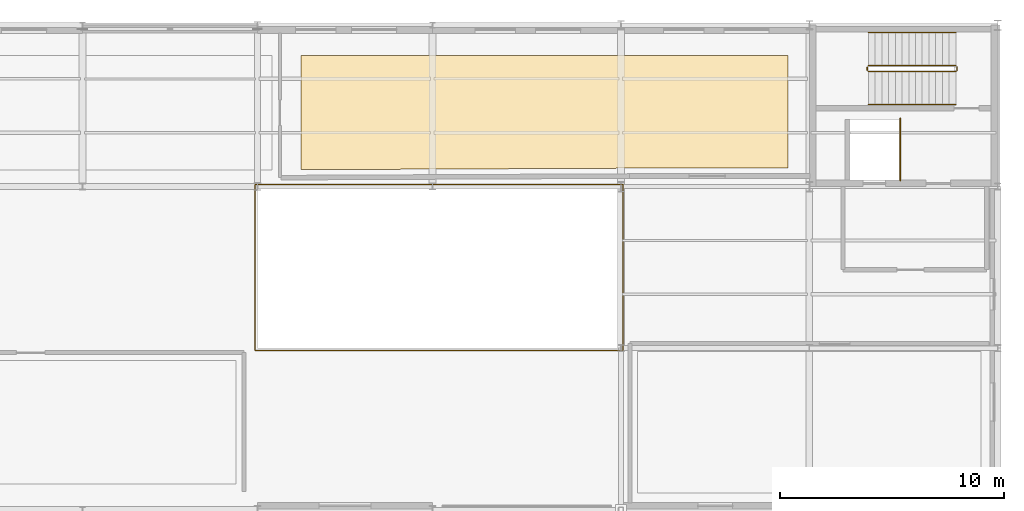
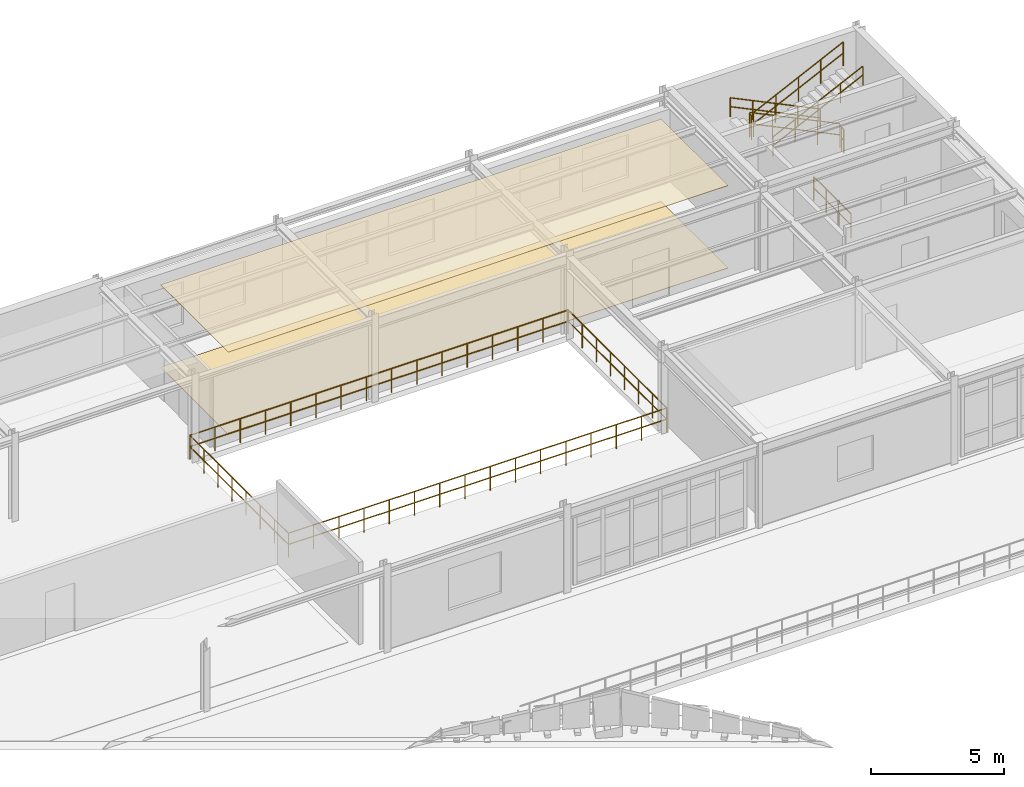
# One storey, part 58 of 58: 9 railings, 2 coverings.
"""IFC4 building model written with IfcOpenShell, lengths in metres."""

from ifc_helpers import new_model, si_unit, derived_unit, direction, frame, origin, origin_2d, place, context, subcontext, project, spatial, polyline, circle, outline, extrude, material, layer, layer_set, type_object, element, save


model = new_model("IFC4")

# Units and contexts
model_context = context("Model", 3, precision=1e-05, world=origin(), true_north=direction((0.0, 1.0)))
body_context = subcontext(model_context, "Body", "Model", "MODEL_VIEW")
ifc_project = project(units=[si_unit("LENGTHUNIT", "METRE"), si_unit("AREAUNIT", "SQUARE_METRE"), si_unit("VOLUMEUNIT", "CUBIC_METRE"), si_unit("PLANEANGLEUNIT", "RADIAN"), si_unit("MASSUNIT", "GRAM", prefix="KILO"), derived_unit("THERMALTRANSMITTANCEUNIT", [(si_unit("POWERUNIT", "WATT"), 1), (si_unit("AREAUNIT", "SQUARE_METRE"), -1), (si_unit("THERMODYNAMICTEMPERATUREUNIT", "KELVIN"), -1)])], contexts=[model_context])

# Site, building, storey
site_placement = place(None, origin())
site = spatial("IfcSite", under=ifc_project, at=site_placement, CompositionType="ELEMENT")
building_placement = place(site_placement, origin())
building = spatial("IfcBuilding", under=site, at=building_placement, Name="Yasenodar Specialist Clinic", CompositionType="ELEMENT")
storey_placement = place(building_placement, frame((0.0, 0.0, 17.25)))
storey = spatial("IfcBuildingStorey", under=building, at=storey_placement, Name="L04", CompositionType="ELEMENT", Elevation=17.25)

# Coverings
ifc_material_1 = material(Name="Hygienic Acoustic Mineral-Fibre Ceiling")
ifc_layer_1 = layer(ifc_material_1, 0.02490234375)
ifc_layer_set_1 = layer_set([ifc_layer_1], Name="Hygienic Acoustic Mineral-Fibre Ceiling")
covering_type_1 = type_object("IfcCoveringType", Name="COV-CEIL-AC", PredefinedType="CEILING", material=ifc_layer_set_1)
covering_1_placement = place(storey_placement, frame((0.0, 0.0, 3.77490234375)))
element("IfcCovering", 1, at=covering_1_placement, inside=storey, type_object=covering_type_1, Name="L04 Cleanroom AHU Plant Room Acoustic Ceiling", PredefinedType="CEILING", context=body_context, shape_type="SweptSolid", body=[
    extrude(outline(polyline([(112.449951171875, 110.25), (112.449951171875, 105.219970703125), (105.3798828125, 105.219970703125), (105.3779296875, 105.219970703125), (90.75, 105.152099609375), (90.75, 110.25), (112.449951171875, 110.25)])), origin(), (0.0, 0.0, 1.0), 0.025146484375),
])
ifc_material_2 = material(Name="Seamless Epoxy Terrazzo Clinical Flooring")
ifc_layer_2 = layer(ifc_material_2, 0.02001953125)
ifc_layer_set_2 = layer_set([ifc_layer_2], Name="Seamless Epoxy Terrazzo Clinical Flooring")
covering_type_2 = type_object("IfcCoveringType", Name="COV-FLR-TERR", PredefinedType="FLOORING", material=ifc_layer_set_2)
covering_2_placement = place(storey_placement, origin())
element("IfcCovering", 2, at=covering_2_placement, inside=storey, type_object=covering_type_2, Name="L04 Cleanroom AHU Plant Room Terrazzo Flooring", PredefinedType="FLOORING", context=body_context, shape_type="SweptSolid", body=[
    extrude(outline(polyline([(112.449951171875, 110.25), (112.449951171875, 105.219970703125), (105.3798828125, 105.219970703125), (105.3779296875, 105.219970703125), (90.75, 105.152099609375), (90.75, 110.25), (112.449951171875, 110.25)])), origin(), (0.0, 0.0, 1.0), 0.02001953125),
])

# Railings
ifc_material_3 = material(Name="Steel S355 Painted Guardrail", Category="steel")
railing_type_1 = type_object("IfcRailingType", Name="RL-GRD-1120", PredefinedType="GUARDRAIL", material=ifc_material_3)
railing_1_placement = place(storey_placement, frame((88.699951171875, 97.10009765625, 0.0)))
element("IfcRailing", 3, at=railing_1_placement, inside=storey, type_object=railing_type_1, Name="L04 V5 Lightwell South-East Guardrail", PredefinedType="GUARDRAIL", context=body_context, shape_type="SweptSolid", body=[
    extrude(circle(Radius=0.02392578125, at=origin_2d()), frame((0.0, 0.0, 1.09619140625), z_axis=(1.0, 0.0, 0.0), x_axis=(0.0, 1.0, 0.0)), (0.0, 0.0, 1.0), 16.400146484375),
    extrude(circle(Radius=0.02392578125, at=origin_2d()), frame((0.0, 0.0, 0.58251953125), z_axis=(1.0, 0.0, 0.0), x_axis=(0.0, 1.0, 0.0)), (0.0, 0.0, 1.0), 16.400146484375),
    extrude(circle(Radius=0.02392578125, at=origin_2d()), frame((16.400146484375, 0.0, 1.09619140625), z_axis=(0.0, 1.0, 0.0), x_axis=(-1.0, 0.0, 0.0)), (0.0, 0.0, 1.0), 7.39990234375),
    extrude(circle(Radius=0.02392578125, at=origin_2d()), frame((16.400146484375, 0.0, 0.58251953125), z_axis=(0.0, 1.0, 0.0), x_axis=(-1.0, 0.0, 0.0)), (0.0, 0.0, 1.0), 7.39990234375),
    extrude(circle(Radius=0.02099609375, at=origin_2d()), origin(), (0.0, 0.0, 1.0), 1.072021484375),
    extrude(circle(Radius=0.02099609375, at=origin_2d()), frame((1.09326171875, 0.0, 0.0)), (0.0, 0.0, 1.0), 1.072021484375),
    extrude(circle(Radius=0.02099609375, at=origin_2d()), frame((2.186767578125, 0.0, 0.0)), (0.0, 0.0, 1.0), 1.072021484375),
    extrude(circle(Radius=0.02099609375, at=origin_2d()), frame((3.280029296875, 0.0, 0.0)), (0.0, 0.0, 1.0), 1.072021484375),
    extrude(circle(Radius=0.02099609375, at=origin_2d()), frame((4.373291015625, 0.0, 0.0)), (0.0, 0.0, 1.0), 1.072021484375),
    extrude(circle(Radius=0.02099609375, at=origin_2d()), frame((5.466796875, 0.0, 0.0)), (0.0, 0.0, 1.0), 1.072021484375),
    extrude(circle(Radius=0.02099609375, at=origin_2d()), frame((6.56005859375, 0.0, 0.0)), (0.0, 0.0, 1.0), 1.072021484375),
    extrude(circle(Radius=0.02099609375, at=origin_2d()), frame((7.6533203125, 0.0, 0.0)), (0.0, 0.0, 1.0), 1.072021484375),
    extrude(circle(Radius=0.02099609375, at=origin_2d()), frame((8.746826171875, 0.0, 0.0)), (0.0, 0.0, 1.0), 1.072021484375),
    extrude(circle(Radius=0.02099609375, at=origin_2d()), frame((9.840087890625, 0.0, 0.0)), (0.0, 0.0, 1.0), 1.072021484375),
    extrude(circle(Radius=0.02099609375, at=origin_2d()), frame((10.933349609375, 0.0, 0.0)), (0.0, 0.0, 1.0), 1.072021484375),
    extrude(circle(Radius=0.02099609375, at=origin_2d()), frame((12.02685546875, 0.0, 0.0)), (0.0, 0.0, 1.0), 1.072021484375),
    extrude(circle(Radius=0.02099609375, at=origin_2d()), frame((13.1201171875, 0.0, 0.0)), (0.0, 0.0, 1.0), 1.072021484375),
    extrude(circle(Radius=0.02099609375, at=origin_2d()), frame((14.21337890625, 0.0, 0.0)), (0.0, 0.0, 1.0), 1.072021484375),
    extrude(circle(Radius=0.02099609375, at=origin_2d()), frame((15.306884765625, 0.0, 0.0)), (0.0, 0.0, 1.0), 1.072021484375),
    extrude(circle(Radius=0.02099609375, at=origin_2d()), frame((16.400146484375, 0.0, 0.0)), (0.0, 0.0, 1.0), 1.072021484375),
    extrude(circle(Radius=0.02099609375, at=origin_2d()), frame((16.400146484375, 1.05712890625, 0.0)), (0.0, 0.0, 1.0), 1.072021484375),
    extrude(circle(Radius=0.02099609375, at=origin_2d()), frame((16.400146484375, 2.1142578125, 0.0)), (0.0, 0.0, 1.0), 1.072021484375),
    extrude(circle(Radius=0.02099609375, at=origin_2d()), frame((16.400146484375, 3.17138671875, 0.0)), (0.0, 0.0, 1.0), 1.072021484375),
    extrude(circle(Radius=0.02099609375, at=origin_2d()), frame((16.400146484375, 4.228515625, 0.0)), (0.0, 0.0, 1.0), 1.072021484375),
    extrude(circle(Radius=0.02099609375, at=origin_2d()), frame((16.400146484375, 5.28564453125, 0.0)), (0.0, 0.0, 1.0), 1.072021484375),
    extrude(circle(Radius=0.02099609375, at=origin_2d()), frame((16.400146484375, 6.3427734375, 0.0)), (0.0, 0.0, 1.0), 1.072021484375),
    extrude(circle(Radius=0.02099609375, at=origin_2d()), frame((16.400146484375, 7.39990234375, 0.0)), (0.0, 0.0, 1.0), 1.072021484375),
])
railing_2_placement = place(storey_placement, frame((105.10009765625, 104.5, 0.0)))
element("IfcRailing", 4, at=railing_2_placement, inside=storey, type_object=railing_type_1, Name="L04 V5 Lightwell North-West Guardrail", PredefinedType="GUARDRAIL", context=body_context, shape_type="SweptSolid", body=[
    extrude(circle(Radius=0.02392578125, at=origin_2d()), frame((0.0, 0.0, 1.09619140625), z_axis=(-1.0, 0.0, 0.0), x_axis=(0.0, -1.0, 0.0)), (0.0, 0.0, 1.0), 16.400146484375),
    extrude(circle(Radius=0.02392578125, at=origin_2d()), frame((0.0, 0.0, 0.58251953125), z_axis=(-1.0, 0.0, 0.0), x_axis=(0.0, -1.0, 0.0)), (0.0, 0.0, 1.0), 16.400146484375),
    extrude(circle(Radius=0.02392578125, at=origin_2d()), frame((-16.400146484375, 0.0, 1.09619140625), z_axis=(0.0, -1.0, 0.0), x_axis=(1.0, 0.0, 0.0)), (0.0, 0.0, 1.0), 7.39990234375),
    extrude(circle(Radius=0.02392578125, at=origin_2d()), frame((-16.400146484375, 0.0, 0.58251953125), z_axis=(0.0, -1.0, 0.0), x_axis=(1.0, 0.0, 0.0)), (0.0, 0.0, 1.0), 7.39990234375),
    extrude(circle(Radius=0.02099609375, at=origin_2d()), origin(), (0.0, 0.0, 1.0), 1.072021484375),
    extrude(circle(Radius=0.02099609375, at=origin_2d()), frame((-1.09326171875, 0.0, 0.0)), (0.0, 0.0, 1.0), 1.072021484375),
    extrude(circle(Radius=0.02099609375, at=origin_2d()), frame((-2.186767578125, 0.0, 0.0)), (0.0, 0.0, 1.0), 1.072021484375),
    extrude(circle(Radius=0.02099609375, at=origin_2d()), frame((-3.280029296875, 0.0, 0.0)), (0.0, 0.0, 1.0), 1.072021484375),
    extrude(circle(Radius=0.02099609375, at=origin_2d()), frame((-4.373291015625, 0.0, 0.0)), (0.0, 0.0, 1.0), 1.072021484375),
    extrude(circle(Radius=0.02099609375, at=origin_2d()), frame((-5.466796875, 0.0, 0.0)), (0.0, 0.0, 1.0), 1.072021484375),
    extrude(circle(Radius=0.02099609375, at=origin_2d()), frame((-6.56005859375, 0.0, 0.0)), (0.0, 0.0, 1.0), 1.072021484375),
    extrude(circle(Radius=0.02099609375, at=origin_2d()), frame((-7.6533203125, 0.0, 0.0)), (0.0, 0.0, 1.0), 1.072021484375),
    extrude(circle(Radius=0.02099609375, at=origin_2d()), frame((-8.746826171875, 0.0, 0.0)), (0.0, 0.0, 1.0), 1.072021484375),
    extrude(circle(Radius=0.02099609375, at=origin_2d()), frame((-9.840087890625, 0.0, 0.0)), (0.0, 0.0, 1.0), 1.072021484375),
    extrude(circle(Radius=0.02099609375, at=origin_2d()), frame((-10.933349609375, 0.0, 0.0)), (0.0, 0.0, 1.0), 1.072021484375),
    extrude(circle(Radius=0.02099609375, at=origin_2d()), frame((-12.02685546875, 0.0, 0.0)), (0.0, 0.0, 1.0), 1.072021484375),
    extrude(circle(Radius=0.02099609375, at=origin_2d()), frame((-13.1201171875, 0.0, 0.0)), (0.0, 0.0, 1.0), 1.072021484375),
    extrude(circle(Radius=0.02099609375, at=origin_2d()), frame((-14.21337890625, 0.0, 0.0)), (0.0, 0.0, 1.0), 1.072021484375),
    extrude(circle(Radius=0.02099609375, at=origin_2d()), frame((-15.306884765625, 0.0, 0.0)), (0.0, 0.0, 1.0), 1.072021484375),
    extrude(circle(Radius=0.02099609375, at=origin_2d()), frame((-16.400146484375, 0.0, 0.0)), (0.0, 0.0, 1.0), 1.072021484375),
    extrude(circle(Radius=0.02099609375, at=origin_2d()), frame((-16.400146484375, -1.05712890625, 0.0)), (0.0, 0.0, 1.0), 1.072021484375),
    extrude(circle(Radius=0.02099609375, at=origin_2d()), frame((-16.400146484375, -2.1142578125, 0.0)), (0.0, 0.0, 1.0), 1.072021484375),
    extrude(circle(Radius=0.02099609375, at=origin_2d()), frame((-16.400146484375, -3.17138671875, 0.0)), (0.0, 0.0, 1.0), 1.072021484375),
    extrude(circle(Radius=0.02099609375, at=origin_2d()), frame((-16.400146484375, -4.228515625, 0.0)), (0.0, 0.0, 1.0), 1.072021484375),
    extrude(circle(Radius=0.02099609375, at=origin_2d()), frame((-16.400146484375, -5.28564453125, 0.0)), (0.0, 0.0, 1.0), 1.072021484375),
    extrude(circle(Radius=0.02099609375, at=origin_2d()), frame((-16.400146484375, -6.3427734375, 0.0)), (0.0, 0.0, 1.0), 1.072021484375),
    extrude(circle(Radius=0.02099609375, at=origin_2d()), frame((-16.400146484375, -7.39990234375, 0.0)), (0.0, 0.0, 1.0), 1.072021484375),
])
railing_3_placement = place(storey_placement, frame((117.449951171875, 104.64990234375, 0.0)))
element("IfcRailing", 5, at=railing_3_placement, inside=storey, type_object=railing_type_1, Name="L04 Core C5 Lift LF-08 Shaft Guardrail", PredefinedType="GUARDRAIL", context=body_context, shape_type="SweptSolid", body=[
    extrude(circle(Radius=0.02392578125, at=origin_2d()), frame((0.0, 0.0, 1.09619140625), z_axis=(0.0, 1.0, 0.0), x_axis=(-1.0, 0.0, 0.0)), (0.0, 0.0, 1.0), 2.800048828125),
    extrude(circle(Radius=0.02392578125, at=origin_2d()), frame((0.0, 0.0, 0.58251953125), z_axis=(0.0, 1.0, 0.0), x_axis=(-1.0, 0.0, 0.0)), (0.0, 0.0, 1.0), 2.800048828125),
    extrude(circle(Radius=0.02099609375, at=origin_2d()), origin(), (0.0, 0.0, 1.0), 1.072021484375),
    extrude(circle(Radius=0.02099609375, at=origin_2d()), frame((0.0, 0.933349609375, 0.0)), (0.0, 0.0, 1.0), 1.072021484375),
    extrude(circle(Radius=0.02099609375, at=origin_2d()), frame((0.0, 1.86669921875, 0.0)), (0.0, 0.0, 1.0), 1.072021484375),
    extrude(circle(Radius=0.02099609375, at=origin_2d()), frame((0.0, 2.800048828125, 0.0)), (0.0, 0.0, 1.0), 1.072021484375),
])
ifc_material_4 = material(Name="Steel S355 Painted Stair Guardrail", Category="steel")
railing_type_2 = type_object("IfcRailingType", Name="RL-ST-GRD", PredefinedType="GUARDRAIL", material=ifc_material_4)
railing_4_placement = place(storey_placement, frame((119.929931640625, 109.7900390625, 0.14453125)))
element("IfcRailing", 6, at=railing_4_placement, inside=storey, type_object=railing_type_2, Name="L04 ST-05 stair guard 1", PredefinedType="GUARDRAIL", context=body_context, shape_type="SweptSolid", body=[
    extrude(circle(Radius=0.02392578125, at=origin_2d()), frame((0.0, 0.0, 1.09619140625), z_axis=(-0.900763166376, 0.0, 0.434310623978), x_axis=(0.0, -1.0, 0.0)), (0.0, 0.0, 1.0), 4.32958984375),
    extrude(circle(Radius=0.02392578125, at=origin_2d()), frame((0.0, 0.0, 0.58251953125), z_axis=(-0.900763166376, 0.0, 0.434310623978), x_axis=(0.0, -1.0, 0.0)), (0.0, 0.0, 1.0), 4.32958984375),
    extrude(circle(Radius=0.02099609375, at=origin_2d()), origin(), (0.0, 0.0, 1.0), 1.072021484375),
    extrude(circle(Radius=0.02099609375, at=origin_2d()), frame((-0.97509765625, 0.0, 0.47021484375)), (0.0, 0.0, 1.0), 1.072021484375),
    extrude(circle(Radius=0.02099609375, at=origin_2d()), frame((-1.949951171875, 0.0, 0.940185546875)), (0.0, 0.0, 1.0), 1.072021484375),
    extrude(circle(Radius=0.02099609375, at=origin_2d()), frame((-2.9248046875, 0.0, 1.41015625)), (0.0, 0.0, 1.0), 1.072021484375),
    extrude(circle(Radius=0.02099609375, at=origin_2d()), frame((-3.89990234375, 0.0, 1.88037109375)), (0.0, 0.0, 1.0), 1.072021484375),
])
railing_5_placement = place(storey_placement, frame((115.97998046875, 109.739990234375, 2.02490234375)))
element("IfcRailing", 7, at=railing_5_placement, inside=storey, type_object=railing_type_2, Name="L04 ST-05 stair guard 2", PredefinedType="GUARDRAIL", context=body_context, shape_type="SweptSolid", body=[
    extrude(circle(Radius=0.02392578125, at=origin_2d()), frame((0.0, 0.0, 1.09619140625), z_axis=(0.0, -1.0, 0.0), x_axis=(1.0, 0.0, 0.0)), (0.0, 0.0, 1.0), 0.159912109375),
    extrude(circle(Radius=0.02392578125, at=origin_2d()), frame((0.0, 0.0, 0.58251953125), z_axis=(0.0, -1.0, 0.0), x_axis=(1.0, 0.0, 0.0)), (0.0, 0.0, 1.0), 0.159912109375),
    extrude(circle(Radius=0.02099609375, at=origin_2d()), origin(), (0.0, 0.0, 1.0), 1.072021484375),
    extrude(circle(Radius=0.02099609375, at=origin_2d()), frame((0.0, -0.159912109375, 0.0)), (0.0, 0.0, 1.0), 1.072021484375),
])
railing_6_placement = place(storey_placement, frame((116.030029296875, 109.530029296875, 2.169677734375)))
element("IfcRailing", 8, at=railing_6_placement, inside=storey, type_object=railing_type_2, Name="L04 ST-05 stair guard 3", PredefinedType="GUARDRAIL", context=body_context, shape_type="SweptSolid", body=[
    extrude(circle(Radius=0.02392578125, at=origin_2d()), frame((0.0, 0.0, 1.09619140625), z_axis=(0.900763166376, 0.0, 0.434310623978), x_axis=(0.0, 1.0, 0.0)), (0.0, 0.0, 1.0), 4.32958984375),
    extrude(circle(Radius=0.02392578125, at=origin_2d()), frame((0.0, 0.0, 0.58251953125), z_axis=(0.900763166376, 0.0, 0.434310623978), x_axis=(0.0, 1.0, 0.0)), (0.0, 0.0, 1.0), 4.32958984375),
    extrude(circle(Radius=0.02099609375, at=origin_2d()), origin(), (0.0, 0.0, 1.0), 1.072021484375),
    extrude(circle(Radius=0.02099609375, at=origin_2d()), frame((0.97509765625, 0.0, 0.47021484375)), (0.0, 0.0, 1.0), 1.072021484375),
    extrude(circle(Radius=0.02099609375, at=origin_2d()), frame((1.949951171875, 0.0, 0.940185546875)), (0.0, 0.0, 1.0), 1.072021484375),
    extrude(circle(Radius=0.02099609375, at=origin_2d()), frame((2.9248046875, 0.0, 1.41015625)), (0.0, 0.0, 1.0), 1.072021484375),
    extrude(circle(Radius=0.02099609375, at=origin_2d()), frame((3.89990234375, 0.0, 1.88037109375)), (0.0, 0.0, 1.0), 1.072021484375),
])
railing_7_placement = place(storey_placement, frame((119.97998046875, 109.739990234375, 0.0)))
element("IfcRailing", 9, at=railing_7_placement, inside=storey, type_object=railing_type_2, Name="L04 ST-05 stair guard 4", PredefinedType="GUARDRAIL", context=body_context, shape_type="SweptSolid", body=[
    extrude(circle(Radius=0.02392578125, at=origin_2d()), frame((0.0, 0.0, 1.09619140625), z_axis=(0.0, -1.0, 0.0), x_axis=(1.0, 0.0, 0.0)), (0.0, 0.0, 1.0), 0.159912109375),
    extrude(circle(Radius=0.02392578125, at=origin_2d()), frame((0.0, 0.0, 0.58251953125), z_axis=(0.0, -1.0, 0.0), x_axis=(1.0, 0.0, 0.0)), (0.0, 0.0, 1.0), 0.159912109375),
    extrude(circle(Radius=0.02099609375, at=origin_2d()), origin(), (0.0, 0.0, 1.0), 1.072021484375),
    extrude(circle(Radius=0.02099609375, at=origin_2d()), frame((0.0, -0.159912109375, 0.0)), (0.0, 0.0, 1.0), 1.072021484375),
])
ifc_material_5 = material(Name="Brushed Stainless Steel Handrail", Category="steel")
railing_type_3 = type_object("IfcRailingType", Name="RL-ST-HND", PredefinedType="HANDRAIL", material=ifc_material_5)
railing_8_placement = place(storey_placement, frame((119.929931640625, 111.260009765625, 0.14453125)))
element("IfcRailing", 10, at=railing_8_placement, inside=storey, type_object=railing_type_3, Name="L04 ST-05 stair handrail 1", PredefinedType="HANDRAIL", context=body_context, shape_type="SweptSolid", body=[
    extrude(circle(Radius=0.02392578125, at=origin_2d()), frame((0.0, 0.0, 0.8759765625), z_axis=(-0.900763166376, 0.0, 0.434310623978), x_axis=(0.0, -1.0, 0.0)), (0.0, 0.0, 1.0), 4.32958984375),
    extrude(circle(Radius=0.02392578125, at=origin_2d()), frame((0.0, 0.0, 0.468017578125), z_axis=(-0.900763166376, 0.0, 0.434310623978), x_axis=(0.0, -1.0, 0.0)), (0.0, 0.0, 1.0), 4.32958984375),
    extrude(circle(Radius=0.02099609375, at=origin_2d()), origin(), (0.0, 0.0, 1.0), 0.851806640625),
    extrude(circle(Radius=0.02099609375, at=origin_2d()), frame((-0.97509765625, 0.0, 0.47021484375)), (0.0, 0.0, 1.0), 0.851806640625),
    extrude(circle(Radius=0.02099609375, at=origin_2d()), frame((-1.949951171875, 0.0, 0.940185546875)), (0.0, 0.0, 1.0), 0.851806640625),
    extrude(circle(Radius=0.02099609375, at=origin_2d()), frame((-2.9248046875, 0.0, 1.41015625)), (0.0, 0.0, 1.0), 0.851806640625),
    extrude(circle(Radius=0.02099609375, at=origin_2d()), frame((-3.89990234375, 0.0, 1.88037109375)), (0.0, 0.0, 1.0), 0.851806640625),
])
railing_9_placement = place(storey_placement, frame((116.030029296875, 108.06005859375, 2.169677734375)))
element("IfcRailing", 11, at=railing_9_placement, inside=storey, type_object=railing_type_3, Name="L04 ST-05 stair handrail 2", PredefinedType="HANDRAIL", context=body_context, shape_type="SweptSolid", body=[
    extrude(circle(Radius=0.02392578125, at=origin_2d()), frame((0.0, 0.0, 0.8759765625), z_axis=(0.900763166376, 0.0, 0.434310623978), x_axis=(0.0, 1.0, 0.0)), (0.0, 0.0, 1.0), 4.32958984375),
    extrude(circle(Radius=0.02392578125, at=origin_2d()), frame((0.0, 0.0, 0.468017578125), z_axis=(0.900763166376, 0.0, 0.434310623978), x_axis=(0.0, 1.0, 0.0)), (0.0, 0.0, 1.0), 4.32958984375),
    extrude(circle(Radius=0.02099609375, at=origin_2d()), origin(), (0.0, 0.0, 1.0), 0.851806640625),
    extrude(circle(Radius=0.02099609375, at=origin_2d()), frame((0.97509765625, 0.0, 0.47021484375)), (0.0, 0.0, 1.0), 0.851806640625),
    extrude(circle(Radius=0.02099609375, at=origin_2d()), frame((1.949951171875, 0.0, 0.940185546875)), (0.0, 0.0, 1.0), 0.851806640625),
    extrude(circle(Radius=0.02099609375, at=origin_2d()), frame((2.9248046875, 0.0, 1.41015625)), (0.0, 0.0, 1.0), 0.851806640625),
    extrude(circle(Radius=0.02099609375, at=origin_2d()), frame((3.89990234375, 0.0, 1.88037109375)), (0.0, 0.0, 1.0), 0.851806640625),
])

save(model, "model.ifc")
